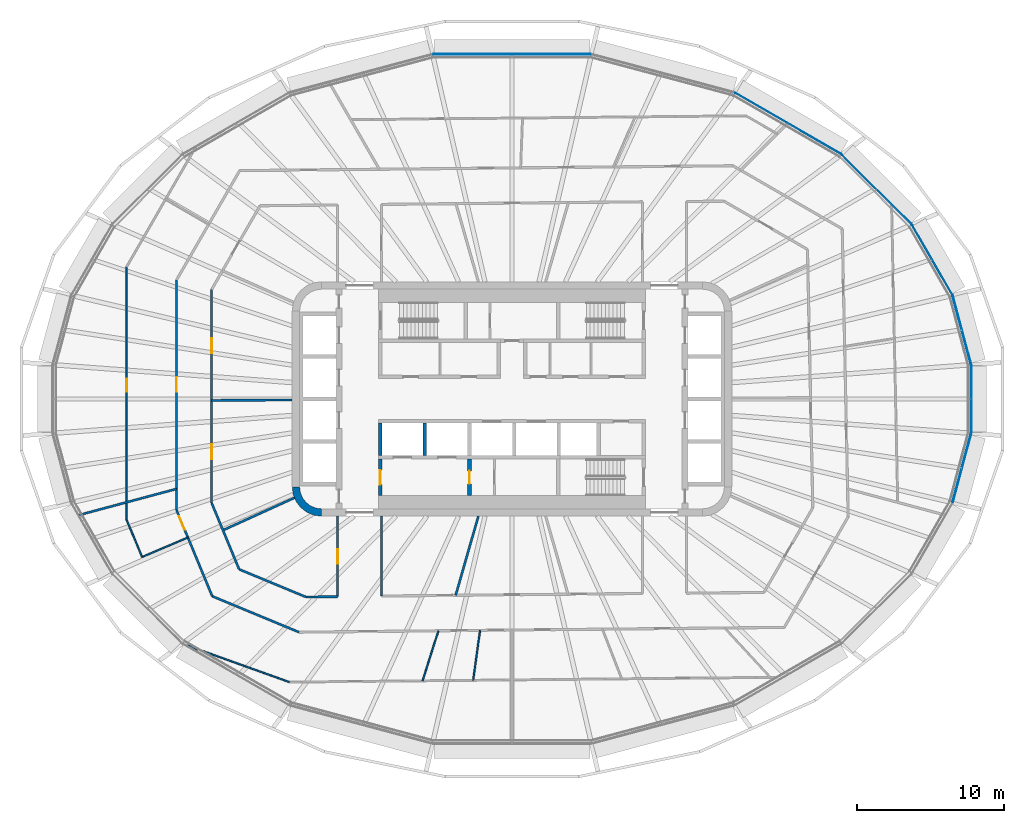
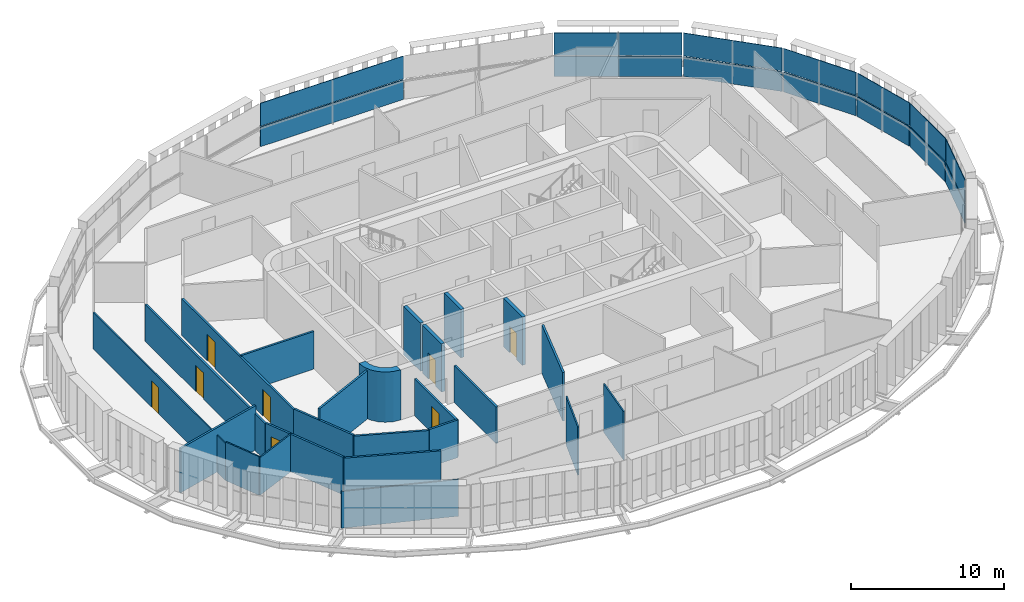
# One storey, part 11 of 23: 24 walls, 14 plates, 8 doors, 8 openings, 7 elements without a shape of their own.
"""IFC4 building model written with IfcOpenShell, lengths in metres."""

from ifc_helpers import new_model, si_unit, direction, frame, frame_2d, origin, place, context, subcontext, project, spatial, polyline, rectangle, outline, extrude, material, layer, layer_set, type_object, element, fill, aggregate, save


model = new_model("IFC4")

# Units and contexts
model_context = context("Model", 3, precision=1e-05, world=origin(), true_north=direction((0.0, 1.0)))
body_context = subcontext(model_context, "Body", "Model", "MODEL_VIEW")
ifc_project = project(units=[si_unit("LENGTHUNIT", "METRE"), si_unit("AREAUNIT", "SQUARE_METRE"), si_unit("VOLUMEUNIT", "CUBIC_METRE"), si_unit("PLANEANGLEUNIT", "RADIAN"), si_unit("MASSUNIT", "GRAM", prefix="KILO")], contexts=[model_context])

# Site, building, storey
site_placement = place(None, origin())
site = spatial("IfcSite", under=ifc_project, at=site_placement, CompositionType="ELEMENT")
building_placement = place(site_placement, origin())
building = spatial("IfcBuilding", under=site, at=building_placement, Name="Sahrelin Media Tower", CompositionType="ELEMENT")
storey_placement = place(building_placement, frame((0.0, 0.0, 157.60009765625)))
storey = spatial("IfcBuildingStorey", under=building, at=storey_placement, Name="L32", CompositionType="ELEMENT", Elevation=157.60009765625)

# Curtain wall, plate
ifc_material_1 = material(Name="Champagne anodised aluminium 6063-T6", Category="aluminium")
ifc_layer_1 = layer(ifc_material_1, 0.14990234375)
ifc_layer_set_1 = layer_set([ifc_layer_1], Name="Tower ribbon curtain wall")
curtain_wall_type = type_object("IfcCurtainWallType", Name="Tower ribbon curtain wall", PredefinedType="NOTDEFINED", material=ifc_layer_set_1)
curtain_wall_1_placement = place(storey_placement, frame((31.3515625, 0.0, 0.0), z_axis=(0.0, 0.0, 1.0), x_axis=(1.0, 0.0, 0.0)))
curtain_wall_1 = element("IfcCurtainWall", 1, at=curtain_wall_1_placement, inside=storey, type_object=curtain_wall_type, Name="L32:CW:L32-00", PredefinedType="NOTDEFINED")
ifc_material_2 = material(Name="Clear low-iron glazing", Category="glass")
ifc_layer_2 = layer(ifc_material_2, 0.0439453125)
ifc_layer_set_2 = layer_set([ifc_layer_2], Name="Glazing panel 44 mm CW1B")
plate_type_1 = type_object("IfcPlateType", Name="Glazing panel 44 mm CW1B", PredefinedType="CURTAIN_PANEL", material=ifc_layer_set_2)
plate_1_placement = place(storey_placement, frame((31.37158203125, -2.29296875, 1.6298828125), z_axis=(1.0, 0.0, 0.0), x_axis=(0.0, 1.0, 0.0)))
plate_1 = element("IfcPlate", 2, at=plate_1_placement, type_object=plate_type_1, Name="L32:CWP2:L32-00", PredefinedType="CURTAIN_PANEL", context=body_context, shape_type="SweptSolid", body=[
    extrude(outline(polyline([(0.0, 0.0), (4.5859375, 0.0), (4.5859375, 1.818603515625), (0.0, 1.818603515625), (0.0, 0.0)])), origin(), (0.0, 0.0, -1.0), 0.0439453125),
])

curtain_wall_2_placement = place(storey_placement, frame((30.71728515625, 4.709716796875, 0.0), z_axis=(0.0, 0.0, 1.0), x_axis=(1.0, 0.0, 0.0)))
curtain_wall_2 = element("IfcCurtainWall", 3, at=curtain_wall_2_placement, inside=storey, type_object=curtain_wall_type, Name="L32:CW:L32-01", PredefinedType="NOTDEFINED")
plate_2_placement = place(storey_placement, frame((31.35791015625, 2.396484375, 1.6298828125), z_axis=(0.965927847978, 0.25881149994, 0.0), x_axis=(-0.25881149994, 0.965927847978, 0.0)))
plate_2 = element("IfcPlate", 4, at=plate_2_placement, type_object=plate_type_1, Name="L32:CWP2:L32-01", PredefinedType="CURTAIN_PANEL", context=body_context, shape_type="SweptSolid", body=[
    extrude(outline(polyline([(0.0, 0.0), (4.800537109375, 0.0), (4.800537109375, 1.818603515625), (0.0, 1.818603515625), (0.0, 0.0)])), origin(), (0.0, 0.0, -1.0), 0.0439453125),
])

curtain_wall_3_placement = place(storey_placement, frame((28.689208984375, 9.490966796875, 0.0), z_axis=(0.0, 0.0, 1.0), x_axis=(1.0, 0.0, 0.0)))
curtain_wall_3 = element("IfcCurtainWall", 5, at=curtain_wall_3_placement, inside=storey, type_object=curtain_wall_type, Name="L32:CW:L32-02", PredefinedType="NOTDEFINED")
plate_3_placement = place(storey_placement, frame((30.075439453125, 7.1298828125, 1.6298828125), z_axis=(0.866034122891, 0.49998489776, 0.0), x_axis=(-0.49998489776, 0.866034122891, 0.0)))
plate_3 = element("IfcPlate", 6, at=plate_3_placement, type_object=plate_type_1, Name="L32:CWP2:L32-02", PredefinedType="CURTAIN_PANEL", context=body_context, shape_type="SweptSolid", body=[
    extrude(outline(polyline([(0.0, 0.0), (5.475830078125, 0.0), (5.475830078125, 1.818603515625), (0.0, 1.818603515625), (0.0, 0.0)])), origin(), (0.0, 0.0, -1.0), 0.0439453125),
])

curtain_wall_4_placement = place(storey_placement, frame((24.900634765625, 14.30029296875, 0.0), z_axis=(0.0, 0.0, 1.0), x_axis=(1.0, 0.0, 0.0)))
curtain_wall_4 = element("IfcCurtainWall", 7, at=curtain_wall_4_placement, inside=storey, type_object=curtain_wall_type, Name="L32:CW:L32-03", PredefinedType="NOTDEFINED")
plate_4_placement = place(storey_placement, frame((27.274169921875, 11.954833984375, 1.6298828125), z_axis=(0.707106781187, 0.707106781187, 0.0), x_axis=(-0.707106781187, 0.707106781187, 0.0)))
plate_4 = element("IfcPlate", 8, at=plate_4_placement, type_object=plate_type_1, Name="L32:CWP2:L32-03", PredefinedType="CURTAIN_PANEL", context=body_context, shape_type="SweptSolid", body=[
    extrude(outline(polyline([(0.0, 0.0), (6.67333984375, 0.0), (6.67333984375, 1.818603515625), (0.0, 1.818603515625), (0.0, 0.0)])), origin(), (0.0, 0.0, -1.0), 0.0439453125),
])

curtain_wall_5_placement = place(storey_placement, frame((18.85107421875, 18.804931640625, 0.0), z_axis=(0.0, 0.0, 1.0), x_axis=(1.0, 0.0, 0.0)))
curtain_wall_5 = element("IfcCurtainWall", 9, at=curtain_wall_5_placement, inside=storey, type_object=curtain_wall_type, Name="L32:CW:L32-04", PredefinedType="NOTDEFINED")
plate_5_placement = place(storey_placement, frame((22.472412109375, 16.7373046875, 1.6298828125), z_axis=(0.500002026074, 0.866024234027, 0.0), x_axis=(-0.866024234027, 0.500002026074, 0.0)))
plate_5 = element("IfcPlate", 10, at=plate_5_placement, type_object=plate_type_1, Name="L32:CWP2:L32-04", PredefinedType="CURTAIN_PANEL", context=body_context, shape_type="SweptSolid", body=[
    extrude(outline(polyline([(0.0, 0.0), (8.34033203125, 0.0), (8.34033203125, 1.818603515625), (0.0, 1.818603515625), (0.0, 0.0)])), origin(), (0.0, 0.0, -1.0), 0.0439453125),
])

curtain_wall_6_placement = place(storey_placement, frame((0.0, 23.532470703125, 0.0), z_axis=(0.0, 0.0, 1.0), x_axis=(1.0, 0.0, 0.0)))
curtain_wall_6 = element("IfcCurtainWall", 11, at=curtain_wall_6_placement, inside=storey, type_object=curtain_wall_type, Name="L32:CW:L32-06", PredefinedType="NOTDEFINED")
plate_6_placement = place(storey_placement, frame((5.378173828125, 23.552490234375, 1.6298828125), z_axis=(0.0, 1.0, 0.0), x_axis=(-1.0, 0.0, 0.0)))
plate_6 = element("IfcPlate", 12, at=plate_6_placement, type_object=plate_type_1, Name="L32:CWP2:L32-06", PredefinedType="CURTAIN_PANEL", context=body_context, shape_type="SweptSolid", body=[
    extrude(outline(polyline([(0.0, 0.0), (10.75634765625, 0.0), (10.75634765625, 1.818603515625), (0.0, 1.818603515625), (0.0, 0.0)])), origin(), (0.0, 0.0, -1.0), 0.0439453125),
])

curtain_wall_7_placement = place(storey_placement, frame((30.71728515625, -4.709716796875, 0.0), z_axis=(0.0, 0.0, 1.0), x_axis=(1.0, 0.0, 0.0)))
curtain_wall_7 = element("IfcCurtainWall", 13, at=curtain_wall_7_placement, inside=storey, type_object=curtain_wall_type, Name="L32:CW:L32-23", PredefinedType="NOTDEFINED")
plate_7_placement = place(storey_placement, frame((30.115478515625, -7.033447265625, 1.6298828125), z_axis=(0.965927847978, -0.25881149994, 0.0), x_axis=(0.25881149994, 0.965927847978, 0.0)))
plate_7 = element("IfcPlate", 14, at=plate_7_placement, type_object=plate_type_1, Name="L32:CWP2:L32-23", PredefinedType="CURTAIN_PANEL", context=body_context, shape_type="SweptSolid", body=[
    extrude(outline(polyline([(0.0, 0.0), (4.800537109375, 0.0), (4.800537109375, 1.818603515625), (0.0, 1.818603515625), (0.0, 0.0)])), origin(), (0.0, 0.0, -1.0), 0.0439453125),
])

# Plate
ifc_material_3 = material(Name="Insulated spandrel panel")
ifc_layer_3 = layer(ifc_material_3, 0.06005859375)
ifc_layer_set_3 = layer_set([ifc_layer_3], Name="Spandrel panel 60 mm CW1")
plate_type_2 = type_object("IfcPlateType", Name="Spandrel panel 60 mm CW1", PredefinedType="SHEET", material=ifc_layer_set_3)
plate_8_placement = place(storey_placement, frame((31.37158203125, -2.29296875, 0.0), z_axis=(1.0, 0.0, 0.0), x_axis=(0.0, 1.0, 0.0)))
plate_8 = element("IfcPlate", 15, at=plate_8_placement, type_object=plate_type_2, Name="L32:CWP1:L32-00", PredefinedType="SHEET", context=body_context, shape_type="SweptSolid", body=[
    extrude(outline(polyline([(0.0, 0.0), (4.5859375, 0.0), (4.5859375, 1.56982421875), (0.0, 1.56982421875), (0.0, 0.0)])), origin(), (0.0, 0.0, -1.0), 0.06005859375),
])

aggregate(curtain_wall_1, [plate_8, plate_1])

plate_9_placement = place(storey_placement, frame((31.35791015625, 2.396484375, 0.0), z_axis=(0.965927847978, 0.25881149994, 0.0), x_axis=(-0.25881149994, 0.965927847978, 0.0)))
plate_9 = element("IfcPlate", 16, at=plate_9_placement, type_object=plate_type_2, Name="L32:CWP1:L32-01", PredefinedType="SHEET", context=body_context, shape_type="SweptSolid", body=[
    extrude(outline(polyline([(0.0, 0.0), (4.800537109375, 0.0), (4.800537109375, 1.56982421875), (0.0, 1.56982421875), (0.0, 0.0)])), origin(), (0.0, 0.0, -1.0), 0.06005859375),
])

aggregate(curtain_wall_2, [plate_9, plate_2])

plate_10_placement = place(storey_placement, frame((30.075439453125, 7.1298828125, 0.0), z_axis=(0.866034122891, 0.49998489776, 0.0), x_axis=(-0.49998489776, 0.866034122891, 0.0)))
plate_10 = element("IfcPlate", 17, at=plate_10_placement, type_object=plate_type_2, Name="L32:CWP1:L32-02", PredefinedType="SHEET", context=body_context, shape_type="SweptSolid", body=[
    extrude(outline(polyline([(0.0, 0.0), (5.475830078125, 0.0), (5.475830078125, 1.56982421875), (0.0, 1.56982421875), (0.0, 0.0)])), origin(), (0.0, 0.0, -1.0), 0.06005859375),
])

aggregate(curtain_wall_3, [plate_10, plate_3])

plate_11_placement = place(storey_placement, frame((27.274169921875, 11.954833984375, 0.0), z_axis=(0.707106781187, 0.707106781187, 0.0), x_axis=(-0.707106781187, 0.707106781187, 0.0)))
plate_11 = element("IfcPlate", 18, at=plate_11_placement, type_object=plate_type_2, Name="L32:CWP1:L32-03", PredefinedType="SHEET", context=body_context, shape_type="SweptSolid", body=[
    extrude(outline(polyline([(0.0, 0.0), (6.67333984375, 0.0), (6.67333984375, 1.56982421875), (0.0, 1.56982421875), (0.0, 0.0)])), origin(), (0.0, 0.0, -1.0), 0.06005859375),
])

aggregate(curtain_wall_4, [plate_11, plate_4])

plate_12_placement = place(storey_placement, frame((22.472412109375, 16.7373046875, 0.0), z_axis=(0.500002026074, 0.866024234027, 0.0), x_axis=(-0.866024234027, 0.500002026074, 0.0)))
plate_12 = element("IfcPlate", 19, at=plate_12_placement, type_object=plate_type_2, Name="L32:CWP1:L32-04", PredefinedType="SHEET", context=body_context, shape_type="SweptSolid", body=[
    extrude(outline(polyline([(0.0, 0.0), (8.34033203125, 0.0), (8.34033203125, 1.56982421875), (0.0, 1.56982421875), (0.0, 0.0)])), origin(), (0.0, 0.0, -1.0), 0.06005859375),
])

aggregate(curtain_wall_5, [plate_12, plate_5])

plate_13_placement = place(storey_placement, frame((5.378173828125, 23.552490234375, 0.0), z_axis=(0.0, 1.0, 0.0), x_axis=(-1.0, 0.0, 0.0)))
plate_13 = element("IfcPlate", 20, at=plate_13_placement, type_object=plate_type_2, Name="L32:CWP1:L32-06", PredefinedType="SHEET", context=body_context, shape_type="SweptSolid", body=[
    extrude(outline(polyline([(0.0, 0.0), (10.75634765625, 0.0), (10.75634765625, 1.56982421875), (0.0, 1.56982421875), (0.0, 0.0)])), origin(), (0.0, 0.0, -1.0), 0.06005859375),
])

aggregate(curtain_wall_6, [plate_13, plate_6])

plate_14_placement = place(storey_placement, frame((30.115478515625, -7.033447265625, 0.0), z_axis=(0.965927847978, -0.25881149994, 0.0), x_axis=(0.25881149994, 0.965927847978, 0.0)))
plate_14 = element("IfcPlate", 21, at=plate_14_placement, type_object=plate_type_2, Name="L32:CWP1:L32-23", PredefinedType="SHEET", context=body_context, shape_type="SweptSolid", body=[
    extrude(outline(polyline([(0.0, 0.0), (4.800537109375, 0.0), (4.800537109375, 1.56982421875), (0.0, 1.56982421875), (0.0, 0.0)])), origin(), (0.0, 0.0, -1.0), 0.06005859375),
])

aggregate(curtain_wall_7, [plate_14, plate_7])

# Wall
ifc_material_4 = material(Name="Concrete C60/75", Category="concrete")
ifc_layer_4 = layer(ifc_material_4, 0.5)
ifc_layer_set_4 = layer_set([ifc_layer_4], Name="Core wall 500")
wall_type_1 = type_object("IfcWallType", Name="Core wall 500", PredefinedType="SHEAR", material=ifc_layer_set_4)
wall_1_placement = place(storey_placement, origin())
element("IfcWall", 22, at=wall_1_placement, inside=storey, type_object=wall_type_1, Name="Core wall corner SW L32", PredefinedType="SHEAR", context=body_context, shape_type="SweptSolid", body=[
    extrude(outline(polyline([(-13.0, -8.0), (-13.0, -7.49560546875), (-13.38720703125, -7.44482421875), (-13.747802734375, -7.29541015625), (-14.0576171875, -7.0576171875), (-14.29541015625, -6.747802734375), (-14.44482421875, -6.38720703125), (-14.49560546875, -6.0), (-15.0, -6.0), (-14.931884765625, -6.517578125), (-14.732177734375, -7.0), (-14.414306640625, -7.414306640625), (-14.0, -7.732177734375), (-13.517578125, -7.931884765625), (-13.0, -8.0)])), origin(), (0.0, 0.0, 1.0), 4.0),
])

# Wall, opening, door
ifc_material_5 = material(Name="Fire-rated gypsum board partition")
ifc_layer_5 = layer(ifc_material_5, 0.14990234375)
ifc_layer_set_5 = layer_set([ifc_layer_5], Name="Fire-rated partition 150")
wall_type_2 = type_object("IfcWallType", Name="Fire-rated partition 150", PredefinedType="PARTITIONING", material=ifc_layer_set_5)
wall_2_placement = place(storey_placement, frame((-22.89990234375, -7.572021484375, 0.0), z_axis=(0.0, 0.0, 1.0), x_axis=(0.382860357704, -0.923806227788, 0.0)))
wall_2 = element("IfcWall", 23, at=wall_2_placement, inside=storey, type_object=wall_type_2, Name="Wall", PredefinedType="PARTITIONING", context=body_context, shape_type="SweptSolid", body=[
    extrude(rectangle(XDim=6.37353515625, YDim=0.14990234375, at=frame_2d((3.186767578125, 0.0))), origin(), (0.0, 0.0, 1.0), 2.994873046875),
])
opening_1_placement = place(wall_2_placement, frame((0.46240234375, 0.0, 0.0)))
opening_1 = element("IfcOpeningElement", 24, at=opening_1_placement, cuts=wall_2, Name="Opening L32-D44", PredefinedType="OPENING", context=body_context, shape_type="SweptSolid", body=[
    extrude(rectangle(XDim=1.0, YDim=2.10009765625, at=frame_2d((0.5, 1.050048828125))), frame((0.0, 0.074951171875, 0.0), z_axis=(0.0, -1.0, 0.0), x_axis=(1.0, 0.0, 0.0)), (0.0, 0.0, 1.0), 0.14990234375),
])
ifc_material_6 = material(Name="Steel fire door leaf", Category="steel")
door_type_1 = type_object("IfcDoorType", Name="Fire door 1000 x 2100 EI 60", OperationType="NOTDEFINED", PredefinedType="DOOR", material=ifc_material_6)
door_1_placement = place(opening_1_placement, origin())
door_1 = element("IfcDoor", 25, at=door_1_placement, inside=storey, type_object=door_type_1, Name="Fire door", OperationType="SINGLE_SWING_LEFT", OverallHeight=2.10009765625, OverallWidth=1.0, PredefinedType="DOOR", context=body_context, shape_type="SweptSolid", body=[
    extrude(rectangle(XDim=1.0, YDim=2.10009765625, at=frame_2d((0.5, 1.050048828125))), frame((0.0, 0.02490234375, 0.0), z_axis=(0.0, -1.0, 0.0), x_axis=(1.0, 0.0, 0.0)), (0.0, 0.0, 1.0), 0.050048828125),
])
fill(opening_1, door_1)

# Walls
wall_3_placement = place(storey_placement, frame((-20.5, -7.094970703125, 0.0), z_axis=(0.0, 0.0, 1.0), x_axis=(0.382878184095, -0.923798839653, 0.0)))
element("IfcWall", 26, at=wall_3_placement, inside=storey, type_object=wall_type_2, Name="Wall", PredefinedType="PARTITIONING", context=body_context, shape_type="SweptSolid", body=[
    extrude(rectangle(XDim=4.901611328125, YDim=0.14990234375, at=frame_2d((2.45068359375, 0.0))), origin(), (0.0, 0.0, 1.0), 2.994873046875),
])
wall_4_placement = place(storey_placement, frame((-20.4599609375, -13.4599609375, 0.0), z_axis=(0.0, 0.0, 1.0), x_axis=(0.923801547606, -0.382871650349, 0.0)))
element("IfcWall", 27, at=wall_4_placement, inside=storey, type_object=wall_type_2, Name="Wall", PredefinedType="PARTITIONING", context=body_context, shape_type="SweptSolid", body=[
    extrude(rectangle(XDim=6.414794921875, YDim=0.14990234375, at=frame_2d((3.20751953125, 0.0))), origin(), (0.0, 0.0, 1.0), 2.927001953125),
])
wall_5_placement = place(storey_placement, frame((-18.623046875, -11.623046875, 0.0), z_axis=(0.0, 0.0, 1.0), x_axis=(0.923791670587, -0.38289548098, 0.0)))
element("IfcWall", 28, at=wall_5_placement, inside=storey, type_object=wall_type_2, Name="Wall", PredefinedType="PARTITIONING", context=body_context, shape_type="SweptSolid", body=[
    extrude(rectangle(XDim=4.9306640625, YDim=0.14990234375, at=frame_2d((2.46533203125, 0.0))), origin(), (0.0, 0.0, 1.0), 2.927001953125),
])
wall_6_placement = place(storey_placement, frame((-20.5, -0.093994140625, 0.0), z_axis=(0.0, 0.0, 1.0), x_axis=(0.999990148138, 0.004438876723, 0.0)))
element("IfcWall", 29, at=wall_6_placement, inside=storey, type_object=wall_type_2, Name="Wall", PredefinedType="PARTITIONING", context=body_context, shape_type="SweptSolid", body=[
    extrude(rectangle(XDim=5.5, YDim=0.14990234375, at=frame_2d((2.75, 0.0))), origin(), (0.0, 0.0, 1.0), 2.994873046875),
])
wall_7_placement = place(storey_placement, frame((-14.068115234375, -13.510986328125, 0.0), z_axis=(0.0, 0.0, 1.0), x_axis=(0.999950911515, 0.009908307647, 0.0)))
element("IfcWall", 30, at=wall_7_placement, inside=storey, type_object=wall_type_2, Name="Wall", PredefinedType="PARTITIONING", context=body_context, shape_type="SweptSolid", body=[
    extrude(rectangle(XDim=2.168212890625, YDim=0.14990234375, at=frame_2d((1.083984375, 0.0))), origin(), (0.0, 0.0, 1.0), 2.994873046875),
])
wall_8_placement = place(storey_placement, frame((-29.591064453125, -7.928955078125, 0.0), z_axis=(0.0, 0.0, 1.0), x_axis=(0.965923037728, 0.258829451931, 0.0)))
element("IfcWall", 31, at=wall_8_placement, inside=storey, type_object=wall_type_2, Name="Wall", PredefinedType="PARTITIONING", context=body_context, shape_type="SweptSolid", body=[
    extrude(rectangle(XDim=6.92724609375, YDim=0.14990234375, at=frame_2d((3.463623046875, 0.0))), origin(), (0.0, 0.0, 1.0), 3.526611328125),
])
wall_9_placement = place(storey_placement, frame((-19.72802734375, -8.9580078125, 0.0), z_axis=(0.0, 0.0, 1.0), x_axis=(0.910629511797, 0.413223779863, 0.0)))
element("IfcWall", 32, at=wall_9_placement, inside=storey, type_object=wall_type_2, Name="Wall", PredefinedType="PARTITIONING", context=body_context, shape_type="SweptSolid", body=[
    extrude(rectangle(XDim=5.3681640625, YDim=0.14990234375, at=frame_2d((2.68408203125, 0.0))), origin(), (0.0, 0.0, 1.0), 3.849853515625),
])
wall_10_placement = place(storey_placement, frame((-3.845947265625, -13.39892578125, 0.0), z_axis=(0.0, 0.0, 1.0), x_axis=(0.275914969745, 0.961182048038, 0.0)))
element("IfcWall", 33, at=wall_10_placement, inside=storey, type_object=wall_type_2, Name="Wall", PredefinedType="PARTITIONING", context=body_context, shape_type="SweptSolid", body=[
    extrude(rectangle(XDim=5.616943359375, YDim=0.14990234375, at=frame_2d((2.80859375, 0.0))), origin(), (0.0, 0.0, 1.0), 3.849853515625),
])
wall_11_placement = place(storey_placement, frame((-8.89990234375, -13.448974609375, 0.0), z_axis=(0.0, 0.0, 1.0), x_axis=(0.0, 1.0, 0.0)))
element("IfcWall", 34, at=wall_11_placement, inside=storey, type_object=wall_type_2, Name="Wall", PredefinedType="PARTITIONING", context=body_context, shape_type="SweptSolid", body=[
    extrude(rectangle(XDim=5.448974609375, YDim=0.14990234375, at=frame_2d((2.724609375, 0.0))), origin(), (0.0, 0.0, 1.0), 2.927001953125),
])

# Wall, opening, door
wall_12_placement = place(storey_placement, frame((-11.89990234375, -13.489990234375, 0.0), z_axis=(0.0, 0.0, 1.0), x_axis=(0.0, 1.0, 0.0)))
wall_12 = element("IfcWall", 35, at=wall_12_placement, inside=storey, type_object=wall_type_2, Name="Wall", PredefinedType="PARTITIONING", context=body_context, shape_type="SweptSolid", body=[
    extrude(rectangle(XDim=5.489990234375, YDim=0.14990234375, at=frame_2d((2.7451171875, 0.0))), origin(), (0.0, 0.0, 1.0), 2.927001953125),
])
opening_2_placement = place(wall_12_placement, frame((2.2451171875, 0.0, 0.0)))
opening_2 = element("IfcOpeningElement", 36, at=opening_2_placement, cuts=wall_12, Name="Opening L32-D36", PredefinedType="OPENING", context=body_context, shape_type="SweptSolid", body=[
    extrude(rectangle(XDim=1.0, YDim=2.10009765625, at=frame_2d((0.5, 1.050048828125))), frame((0.0, 0.074951171875, 0.0), z_axis=(0.0, -1.0, 0.0), x_axis=(1.0, 0.0, 0.0)), (0.0, 0.0, 1.0), 0.14990234375),
])
door_2_placement = place(opening_2_placement, origin())
door_2 = element("IfcDoor", 37, at=door_2_placement, inside=storey, type_object=door_type_1, Name="Fire door", OperationType="SINGLE_SWING_RIGHT", OverallHeight=2.10009765625, OverallWidth=1.0, PredefinedType="DOOR", context=body_context, shape_type="SweptSolid", body=[
    extrude(rectangle(XDim=1.0, YDim=2.10009765625, at=frame_2d((0.5, 1.050048828125))), frame((0.0, 0.02490234375, 0.0), z_axis=(0.0, -1.0, 0.0), x_axis=(1.0, 0.0, 0.0)), (0.0, 0.0, 1.0), 0.050048828125),
])
fill(opening_2, door_2)

# Wall, openings, doors
wall_13_placement = place(storey_placement, frame((-20.5, -7.094970703125, 0.0), z_axis=(0.0, 0.0, 1.0), x_axis=(0.0, 1.0, 0.0)))
wall_13 = element("IfcWall", 38, at=wall_13_placement, inside=storey, type_object=wall_type_2, Name="Wall", PredefinedType="PARTITIONING", context=body_context, shape_type="SweptSolid", body=[
    extrude(rectangle(XDim=14.569091796875, YDim=0.14990234375, at=frame_2d((7.28466796875, 0.0))), origin(), (0.0, 0.0, 1.0), 2.927001953125),
])
opening_3_placement = place(wall_13_placement, frame((10.234375, 0.0, 0.0)))
opening_3 = element("IfcOpeningElement", 39, at=opening_3_placement, cuts=wall_13, Name="Opening L32-D34", PredefinedType="OPENING", context=body_context, shape_type="SweptSolid", body=[
    extrude(rectangle(XDim=1.0, YDim=2.10009765625, at=frame_2d((0.5, 1.050048828125))), frame((0.0, 0.074951171875, 0.0), z_axis=(0.0, -1.0, 0.0), x_axis=(1.0, 0.0, 0.0)), (0.0, 0.0, 1.0), 0.14990234375),
])
opening_4_placement = place(wall_13_placement, frame((3.00048828125, 0.0, 0.0)))
opening_4 = element("IfcOpeningElement", 40, at=opening_4_placement, cuts=wall_13, Name="Opening L32-D35", PredefinedType="OPENING", context=body_context, shape_type="SweptSolid", body=[
    extrude(rectangle(XDim=1.0, YDim=2.10009765625, at=frame_2d((0.5, 1.050048828125))), frame((0.0, 0.074951171875, 0.0), z_axis=(0.0, -1.0, 0.0), x_axis=(1.0, 0.0, 0.0)), (0.0, 0.0, 1.0), 0.14990234375),
])
door_3_placement = place(opening_3_placement, origin())
door_3 = element("IfcDoor", 41, at=door_3_placement, inside=storey, type_object=door_type_1, Name="Fire door", OperationType="SINGLE_SWING_RIGHT", OverallHeight=2.10009765625, OverallWidth=1.0, PredefinedType="DOOR", context=body_context, shape_type="SweptSolid", body=[
    extrude(rectangle(XDim=1.0, YDim=2.10009765625, at=frame_2d((0.5, 1.050048828125))), frame((0.0, 0.02490234375, 0.0), z_axis=(0.0, -1.0, 0.0), x_axis=(1.0, 0.0, 0.0)), (0.0, 0.0, 1.0), 0.050048828125),
])
fill(opening_3, door_3)
door_4_placement = place(opening_4_placement, origin())
door_4 = element("IfcDoor", 42, at=door_4_placement, inside=storey, type_object=door_type_1, Name="Fire door", OperationType="SINGLE_SWING_RIGHT", OverallHeight=2.10009765625, OverallWidth=1.0, PredefinedType="DOOR", context=body_context, shape_type="SweptSolid", body=[
    extrude(rectangle(XDim=1.0, YDim=2.10009765625, at=frame_2d((0.5, 1.050048828125))), frame((0.0, 0.02490234375, 0.0), z_axis=(0.0, -1.0, 0.0), x_axis=(1.0, 0.0, 0.0)), (0.0, 0.0, 1.0), 0.050048828125),
])
fill(opening_4, door_4)

# Wall, opening, door
wall_14_placement = place(storey_placement, frame((-22.89990234375, -7.572021484375, 0.0), z_axis=(0.0, 0.0, 1.0), x_axis=(0.0, 1.0, 0.0)))
wall_14 = element("IfcWall", 43, at=wall_14_placement, inside=storey, type_object=wall_type_2, Name="Wall", PredefinedType="PARTITIONING", context=body_context, shape_type="SweptSolid", body=[
    extrude(rectangle(XDim=15.68896484375, YDim=0.14990234375, at=frame_2d((7.844482421875, 0.0))), origin(), (0.0, 0.0, 1.0), 2.927001953125),
])
opening_5_placement = place(wall_14_placement, frame((8.0625, 0.0, 0.0)))
opening_5 = element("IfcOpeningElement", 44, at=opening_5_placement, cuts=wall_14, Name="Opening L32-D42", PredefinedType="OPENING", context=body_context, shape_type="SweptSolid", body=[
    extrude(rectangle(XDim=1.0, YDim=2.10009765625, at=frame_2d((0.5, 1.050048828125))), frame((0.0, 0.074951171875, 0.0), z_axis=(0.0, -1.0, 0.0), x_axis=(1.0, 0.0, 0.0)), (0.0, 0.0, 1.0), 0.14990234375),
])
door_5_placement = place(opening_5_placement, origin())
door_5 = element("IfcDoor", 45, at=door_5_placement, inside=storey, type_object=door_type_1, Name="Fire door", OperationType="SINGLE_SWING_RIGHT", OverallHeight=2.10009765625, OverallWidth=1.0, PredefinedType="DOOR", context=body_context, shape_type="SweptSolid", body=[
    extrude(rectangle(XDim=1.0, YDim=2.10009765625, at=frame_2d((0.5, 1.050048828125))), frame((0.0, 0.02490234375, 0.0), z_axis=(0.0, -1.0, 0.0), x_axis=(1.0, 0.0, 0.0)), (0.0, 0.0, 1.0), 0.050048828125),
])
fill(opening_5, door_5)

ifc_layer_6 = layer(ifc_material_5, 0.25)
ifc_layer_set_6 = layer_set([ifc_layer_6], Name="Firefighting lobby wall 250")
wall_type_3 = type_object("IfcWallType", Name="Firefighting lobby wall 250", PredefinedType="PARTITIONING", material=ifc_layer_set_6)
wall_15_placement = place(storey_placement, frame((-9.0, -6.60009765625, 0.0), z_axis=(0.0, 0.0, 1.0), x_axis=(0.0, 1.0, 0.0)))
wall_15 = element("IfcWall", 46, at=wall_15_placement, inside=storey, type_object=wall_type_3, Name="Core wall", PredefinedType="PARTITIONING", context=body_context, shape_type="SweptSolid", body=[
    extrude(rectangle(XDim=2.5, YDim=0.25, at=frame_2d((1.25, 0.0))), origin(), (0.0, 0.0, 1.0), 3.849853515625),
])
opening_6_placement = place(wall_15_placement, frame((0.75, 0.0, 0.0)))
opening_6 = element("IfcOpeningElement", 47, at=opening_6_placement, cuts=wall_15, Name="Opening L32-D04", PredefinedType="OPENING", context=body_context, shape_type="SweptSolid", body=[
    extrude(rectangle(XDim=1.0, YDim=2.10009765625, at=frame_2d((0.5, 1.050048828125))), frame((0.0, 0.125, 0.0), z_axis=(0.0, -1.0, 0.0), x_axis=(1.0, 0.0, 0.0)), (0.0, 0.0, 1.0), 0.25),
])
door_type_2 = type_object("IfcDoorType", Name="Firefighting lobby door 1000 x 2100 EI 120", OperationType="NOTDEFINED", PredefinedType="DOOR", material=ifc_material_6)
door_6_placement = place(opening_6_placement, origin())
door_6 = element("IfcDoor", 48, at=door_6_placement, inside=storey, type_object=door_type_2, Name="Firefighting lobby door", OperationType="SINGLE_SWING_LEFT", OverallHeight=2.10009765625, OverallWidth=1.0, PredefinedType="DOOR", context=body_context, shape_type="SweptSolid", body=[
    extrude(rectangle(XDim=1.0, YDim=2.10009765625, at=frame_2d((0.5, 1.050048828125))), frame((0.0, 0.02490234375, 0.0), z_axis=(0.0, -1.0, 0.0), x_axis=(1.0, 0.0, 0.0)), (0.0, 0.0, 1.0), 0.050048828125),
])
fill(opening_6, door_6)

wall_16_placement = place(storey_placement, frame((-2.89990234375, -6.60009765625, 0.0), z_axis=(0.0, 0.0, 1.0), x_axis=(0.0, 1.0, 0.0)))
wall_16 = element("IfcWall", 49, at=wall_16_placement, inside=storey, type_object=wall_type_3, Name="Core wall", PredefinedType="PARTITIONING", context=body_context, shape_type="SweptSolid", body=[
    extrude(rectangle(XDim=2.5, YDim=0.25, at=frame_2d((1.25, 0.0))), origin(), (0.0, 0.0, 1.0), 3.849853515625),
])
opening_7_placement = place(wall_16_placement, frame((0.800048828125, 0.0, 0.0)))
opening_7 = element("IfcOpeningElement", 50, at=opening_7_placement, cuts=wall_16, Name="Opening L32-D05", PredefinedType="OPENING", context=body_context, shape_type="SweptSolid", body=[
    extrude(rectangle(XDim=0.89990234375, YDim=2.10009765625, at=frame_2d((0.449951171875, 1.050048828125))), frame((0.0, 0.125, 0.0), z_axis=(0.0, -1.0, 0.0), x_axis=(1.0, 0.0, 0.0)), (0.0, 0.0, 1.0), 0.25),
])
door_type_3 = type_object("IfcDoorType", Name="Firefighting lobby door 900 x 2100 EI 120", OperationType="NOTDEFINED", PredefinedType="DOOR", material=ifc_material_6)
door_7_placement = place(opening_7_placement, origin())
door_7 = element("IfcDoor", 51, at=door_7_placement, inside=storey, type_object=door_type_3, Name="Riser door", OperationType="SINGLE_SWING_RIGHT", OverallHeight=2.10009765625, OverallWidth=0.89990234375, PredefinedType="DOOR", context=body_context, shape_type="SweptSolid", body=[
    extrude(rectangle(XDim=0.89990234375, YDim=2.10009765625, at=frame_2d((0.449951171875, 1.050048828125))), frame((0.0, 0.02490234375, 0.0), z_axis=(0.0, -1.0, 0.0), x_axis=(1.0, 0.0, 0.0)), (0.0, 0.0, 1.0), 0.050048828125),
])
fill(opening_7, door_7)

# Walls
ifc_layer_7 = layer(ifc_material_4, 0.25)
ifc_layer_set_7 = layer_set([ifc_layer_7], Name="Lift shaft wall 250")
wall_type_4 = type_object("IfcWallType", Name="Lift shaft wall 250", PredefinedType="SOLIDWALL", material=ifc_layer_set_7)
for number, where, z_axis, x_axis, name in (
    (52, (-9.0, -3.85009765625, 0.0), (0.0, 0.0, 1.0), (0.0, 1.0, 0.0), "Lift shaft wall"),
    (53, (-5.949951171875, -3.85009765625, 0.0), (0.0, 0.0, 1.0), (0.0, 1.0, 0.0), "Lift shaft wall"),
):
    element("IfcWall", number, at=place(storey_placement, frame(where, z_axis=z_axis, x_axis=x_axis)), inside=storey, type_object=wall_type_4, Name=name, PredefinedType="SOLIDWALL", context=body_context, shape_type="SweptSolid", body=[
        extrude(rectangle(XDim=2.2001953125, YDim=0.25, at=frame_2d((1.10009765625, 0.0))), origin(), (0.0, 0.0, 1.0), 3.849853515625),
    ])
ifc_material_7 = material(Name="Gypsum board partition")
ifc_layer_8 = layer(ifc_material_7, 0.10009765625)
ifc_layer_set_8 = layer_set([ifc_layer_8], Name="Partition 100")
wall_type_5 = type_object("IfcWallType", Name="Partition 100", PredefinedType="PARTITIONING", material=ifc_layer_set_8)
wall_17_placement = place(storey_placement, frame((-26.300048828125, -8.2490234375, 0.0), z_axis=(0.0, 0.0, 1.0), x_axis=(0.382878044957, -0.92379889732, 0.0)))
element("IfcWall", 54, at=wall_17_placement, inside=storey, type_object=wall_type_5, Name="Wall", PredefinedType="PARTITIONING", context=body_context, shape_type="SweptSolid", body=[
    extrude(rectangle(XDim=2.7451171875, YDim=0.10009765625, at=frame_2d((1.37255859375, 0.0))), origin(), (0.0, 0.0, 1.0), 3.075927734375),
])
wall_18_placement = place(storey_placement, frame((-22.506103515625, -16.695068359375, 0.0), z_axis=(0.0, 0.0, 1.0), x_axis=(0.941067528236, -0.338218727009, 0.0)))
element("IfcWall", 55, at=wall_18_placement, inside=storey, type_object=wall_type_5, Name="Wall", PredefinedType="PARTITIONING", context=body_context, shape_type="SweptSolid", body=[
    extrude(rectangle(XDim=7.77001953125, YDim=0.10009765625, at=frame_2d((3.885009765625, 0.0))), origin(), (0.0, 0.0, 1.0), 2.927001953125),
])
wall_19_placement = place(storey_placement, frame((-25.2490234375, -10.784912109375, 0.0), z_axis=(0.0, 0.0, 1.0), x_axis=(0.919590085221, 0.392879211925, 0.0)))
element("IfcWall", 56, at=wall_19_placement, inside=storey, type_object=wall_type_5, Name="Wall", PredefinedType="PARTITIONING", context=body_context, shape_type="SweptSolid", body=[
    extrude(rectangle(XDim=3.400390625, YDim=0.10009765625, at=frame_2d((1.7001953125, 0.0))), origin(), (0.0, 0.0, 1.0), 2.994873046875),
])
wall_20_placement = place(storey_placement, frame((-6.10595703125, -19.23291015625, 0.0), z_axis=(0.0, 0.0, 1.0), x_axis=(0.302626350856, 0.95310927588, 0.0)))
element("IfcWall", 57, at=wall_20_placement, inside=storey, type_object=wall_type_5, Name="Wall", PredefinedType="PARTITIONING", context=body_context, shape_type="SweptSolid", body=[
    extrude(rectangle(XDim=3.57861328125, YDim=0.10009765625, at=frame_2d((1.789306640625, 0.0))), origin(), (0.0, 0.0, 1.0), 3.849853515625),
])
wall_21_placement = place(storey_placement, frame((-2.64990234375, -19.197998046875, 0.0), z_axis=(0.0, 0.0, 1.0), x_axis=(0.136764815741, 0.990603545913, 0.0)))
element("IfcWall", 58, at=wall_21_placement, inside=storey, type_object=wall_type_5, Name="Wall", PredefinedType="PARTITIONING", context=body_context, shape_type="SweptSolid", body=[
    extrude(rectangle(XDim=3.436279296875, YDim=0.10009765625, at=frame_2d((1.71826171875, 0.0))), origin(), (0.0, 0.0, 1.0), 3.849853515625),
])

# Wall, opening, door
wall_22_placement = place(storey_placement, frame((-26.300048828125, -8.2490234375, 0.0), z_axis=(0.0, 0.0, 1.0), x_axis=(0.0, 1.0, 0.0)))
wall_22 = element("IfcWall", 59, at=wall_22_placement, inside=storey, type_object=wall_type_5, Name="Wall", PredefinedType="PARTITIONING", context=body_context, shape_type="SweptSolid", body=[
    extrude(rectangle(XDim=17.277099609375, YDim=0.10009765625, at=frame_2d((8.638671875, 0.0))), origin(), (0.0, 0.0, 1.0), 2.927001953125),
])
opening_8_placement = place(wall_22_placement, frame((8.7392578125, 0.0, 0.0)))
opening_8 = element("IfcOpeningElement", 60, at=opening_8_placement, cuts=wall_22, Name="Opening L32-D43", PredefinedType="OPENING", context=body_context, shape_type="SweptSolid", body=[
    extrude(rectangle(XDim=0.89990234375, YDim=2.10009765625, at=frame_2d((0.449951171875, 1.050048828125))), frame((0.0, 0.050048828125, 0.0), z_axis=(0.0, -1.0, 0.0), x_axis=(1.0, 0.0, 0.0)), (0.0, 0.0, 1.0), 0.10009765625),
])
ifc_material_8 = material(Name="Timber door leaf", Category="wood")
door_type_4 = type_object("IfcDoorType", Name="Single door 900 x 2100", OperationType="NOTDEFINED", PredefinedType="DOOR", material=ifc_material_8)
door_8_placement = place(opening_8_placement, origin())
door_8 = element("IfcDoor", 61, at=door_8_placement, inside=storey, type_object=door_type_4, Name="Single door", OperationType="SINGLE_SWING_RIGHT", OverallHeight=2.10009765625, OverallWidth=0.89990234375, PredefinedType="DOOR", context=body_context, shape_type="SweptSolid", body=[
    extrude(rectangle(XDim=0.89990234375, YDim=2.10009765625, at=frame_2d((0.449951171875, 1.050048828125))), frame((0.0, 0.02490234375, 0.0), z_axis=(0.0, -1.0, 0.0), x_axis=(1.0, 0.0, 0.0)), (0.0, 0.0, 1.0), 0.050048828125),
])
fill(opening_8, door_8)

save(model, "model.ifc")
